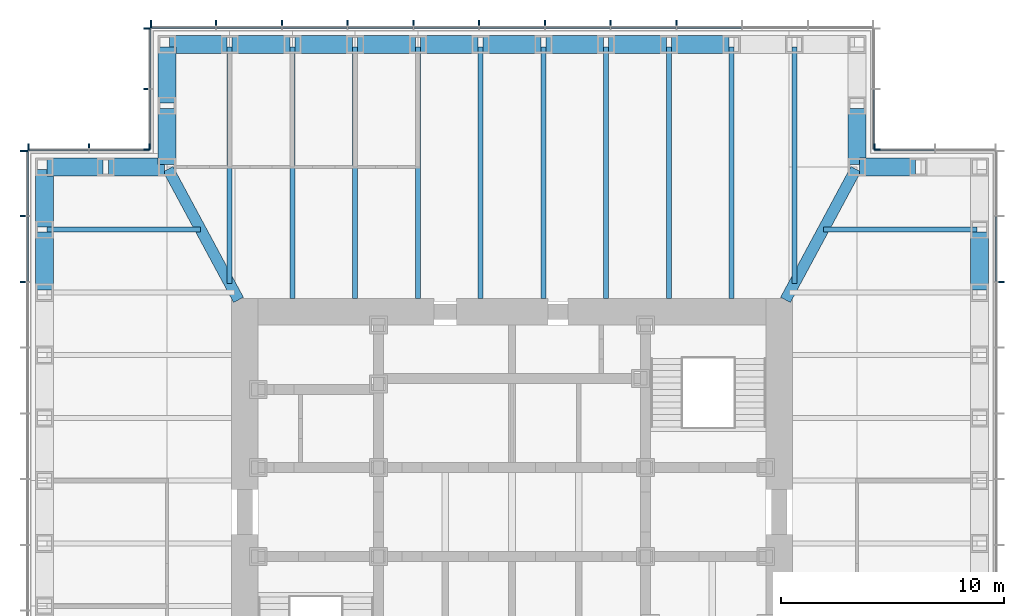
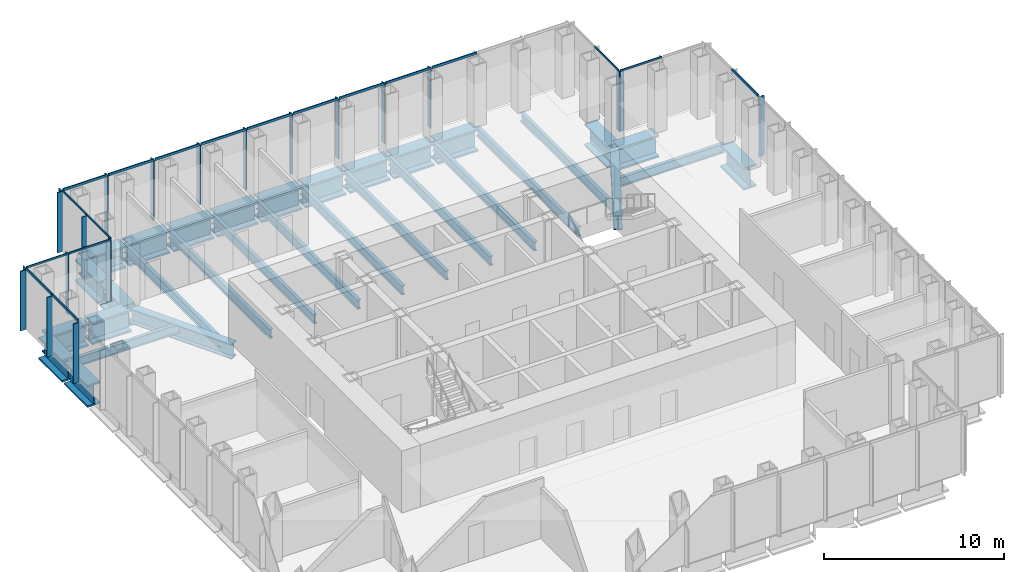
# One storey, part 5 of 16: 39 members, 32 beams, 7 elements without a shape of their own.
"""IFC4 building model written with IfcOpenShell, lengths in metres."""

from ifc_helpers import new_model, si_unit, direction, frame, origin, origin_2d, place, context, subcontext, project, spatial, rectangle, i_section, extrude, material, material_profile, profile_set, type_object, element, aggregate, save


model = new_model("IFC4")

# Units and contexts
model_context = context("Model", 3, precision=1e-05, world=origin(), true_north=direction((0.0, 1.0)))
body_context = subcontext(model_context, "Body", "Model", "MODEL_VIEW")
ifc_project = project(units=[si_unit("LENGTHUNIT", "METRE"), si_unit("AREAUNIT", "SQUARE_METRE"), si_unit("VOLUMEUNIT", "CUBIC_METRE"), si_unit("PLANEANGLEUNIT", "RADIAN"), si_unit("MASSUNIT", "GRAM", prefix="KILO")], contexts=[model_context])

# Site, building, storey
site_placement = place(None, origin())
site = spatial("IfcSite", under=ifc_project, at=site_placement, CompositionType="ELEMENT")
building_placement = place(site_placement, origin())
building = spatial("IfcBuilding", under=site, at=building_placement, Name="Daluyong Arena Tower", CompositionType="ELEMENT")
storey_placement = place(building_placement, frame((0.0, 0.0, 231.699951171875)))
storey = spatial("IfcBuildingStorey", under=building, at=storey_placement, Name="L52", CompositionType="ELEMENT", Elevation=231.699951171875)

# Curtain wall, member
ifc_material_1 = material(Name="Bronze anodised aluminium and glass", Category="aluminium")
curtain_wall_type_1 = type_object("IfcCurtainWallType", Name="Curtain wall CW3", PredefinedType="USERDEFINED", material=ifc_material_1)
curtain_wall_1_placement = place(storey_placement, origin())
curtain_wall_1 = element("IfcCurtainWall", 1, at=curtain_wall_1_placement, inside=storey, type_object=curtain_wall_type_1, Name="curtain wall L52 E", ObjectType="UNITISED CURTAIN WALL", PredefinedType="USERDEFINED")
ifc_material_2 = material(Name="Bronze anodised aluminium fin", Category="aluminium")
ifc_material_profile_1 = material_profile(ifc_material_2, rectangle(XDim=0.35009765625, YDim=0.070068359375, at=origin_2d()))
ifc_profile_set_1 = profile_set([ifc_material_profile_1], Name="Bronze anodised aluminium fin")
member_type_1 = type_object("IfcMemberType", Name="CW3 bronze fin 350x70", PredefinedType="MULLION", material=ifc_profile_set_1)
member_1_placement = place(storey_placement, frame((77.925048828125, 90.3408203125, 0.0), z_axis=(0.0, 0.0, 1.0), x_axis=(-1.0, 0.0, 0.0)))
member_1 = element("IfcMember", 2, at=member_1_placement, type_object=member_type_1, Name="curtain wall L52 E fin 10", PredefinedType="MULLION", context=body_context, shape_type="SweptSolid", body=[
    extrude(rectangle(XDim=0.35009765625, YDim=0.070068359375, at=origin_2d()), origin(), (0.0, 0.0, 1.0), 4.0400390625),
])

# Curtain wall, members
curtain_wall_2_placement = place(storey_placement, origin())
curtain_wall_2 = element("IfcCurtainWall", 3, at=curtain_wall_2_placement, inside=storey, type_object=curtain_wall_type_1, Name="curtain wall L52 N", ObjectType="UNITISED CURTAIN WALL", PredefinedType="USERDEFINED")
member_2_placement = place(storey_placement, frame((63.386474609375, 101.925048828125, 0.0), z_axis=(0.0, 0.0, 1.0), x_axis=(0.0, -1.0, 0.0)))
member_2 = element("IfcMember", 4, at=member_2_placement, type_object=member_type_1, Name="curtain wall L52 N fin 4", PredefinedType="MULLION", context=body_context, shape_type="SweptSolid", body=[
    extrude(rectangle(XDim=0.35009765625, YDim=0.070068359375, at=origin_2d()), origin(), (0.0, 0.0, 1.0), 4.0400390625),
])
member_3_placement = place(storey_placement, frame((60.431884765625, 101.925048828125, 0.0), z_axis=(0.0, 0.0, 1.0), x_axis=(0.0, -1.0, 0.0)))
member_3 = element("IfcMember", 5, at=member_3_placement, type_object=member_type_1, Name="curtain wall L52 N fin 5", PredefinedType="MULLION", context=body_context, shape_type="SweptSolid", body=[
    extrude(rectangle(XDim=0.35009765625, YDim=0.070068359375, at=origin_2d()), origin(), (0.0, 0.0, 1.0), 4.0400390625),
])
member_4_placement = place(storey_placement, frame((57.477294921875, 101.925048828125, 0.0), z_axis=(0.0, 0.0, 1.0), x_axis=(0.0, -1.0, 0.0)))
member_4 = element("IfcMember", 6, at=member_4_placement, type_object=member_type_1, Name="curtain wall L52 N fin 6", PredefinedType="MULLION", context=body_context, shape_type="SweptSolid", body=[
    extrude(rectangle(XDim=0.35009765625, YDim=0.070068359375, at=origin_2d()), origin(), (0.0, 0.0, 1.0), 4.0400390625),
])
member_5_placement = place(storey_placement, frame((54.522705078125, 101.925048828125, 0.0), z_axis=(0.0, 0.0, 1.0), x_axis=(0.0, -1.0, 0.0)))
member_5 = element("IfcMember", 7, at=member_5_placement, type_object=member_type_1, Name="curtain wall L52 N fin 7", PredefinedType="MULLION", context=body_context, shape_type="SweptSolid", body=[
    extrude(rectangle(XDim=0.35009765625, YDim=0.070068359375, at=origin_2d()), origin(), (0.0, 0.0, 1.0), 4.0400390625),
])
member_6_placement = place(storey_placement, frame((51.568115234375, 101.925048828125, 0.0), z_axis=(0.0, 0.0, 1.0), x_axis=(0.0, -1.0, 0.0)))
member_6 = element("IfcMember", 8, at=member_6_placement, type_object=member_type_1, Name="curtain wall L52 N fin 8", PredefinedType="MULLION", context=body_context, shape_type="SweptSolid", body=[
    extrude(rectangle(XDim=0.35009765625, YDim=0.070068359375, at=origin_2d()), origin(), (0.0, 0.0, 1.0), 4.0400390625),
])
member_7_placement = place(storey_placement, frame((48.613525390625, 101.925048828125, 0.0), z_axis=(0.0, 0.0, 1.0), x_axis=(0.0, -1.0, 0.0)))
member_7 = element("IfcMember", 9, at=member_7_placement, type_object=member_type_1, Name="curtain wall L52 N fin 9", PredefinedType="MULLION", context=body_context, shape_type="SweptSolid", body=[
    extrude(rectangle(XDim=0.35009765625, YDim=0.070068359375, at=origin_2d()), origin(), (0.0, 0.0, 1.0), 4.0400390625),
])
member_8_placement = place(storey_placement, frame((45.6591796875, 101.925048828125, 0.0), z_axis=(0.0, 0.0, 1.0), x_axis=(0.0, -1.0, 0.0)))
member_8 = element("IfcMember", 10, at=member_8_placement, type_object=member_type_1, Name="curtain wall L52 N fin 10", PredefinedType="MULLION", context=body_context, shape_type="SweptSolid", body=[
    extrude(rectangle(XDim=0.35009765625, YDim=0.070068359375, at=origin_2d()), origin(), (0.0, 0.0, 1.0), 4.0400390625),
])
member_9_placement = place(storey_placement, frame((42.70458984375, 101.925048828125, 0.0), z_axis=(0.0, 0.0, 1.0), x_axis=(0.0, -1.0, 0.0)))
member_9 = element("IfcMember", 11, at=member_9_placement, type_object=member_type_1, Name="curtain wall L52 N fin 11", PredefinedType="MULLION", context=body_context, shape_type="SweptSolid", body=[
    extrude(rectangle(XDim=0.35009765625, YDim=0.070068359375, at=origin_2d()), origin(), (0.0, 0.0, 1.0), 4.0400390625),
])
member_10_placement = place(storey_placement, frame((39.784912109375, 101.925048828125, 0.0), z_axis=(0.0, 0.0, 1.0), x_axis=(0.0, -1.0, 0.0)))
member_10 = element("IfcMember", 12, at=member_10_placement, type_object=member_type_1, Name="curtain wall L52 N fin 12", PredefinedType="MULLION", context=body_context, shape_type="SweptSolid", body=[
    extrude(rectangle(XDim=0.35009765625, YDim=0.070068359375, at=origin_2d()), origin(), (0.0, 0.0, 1.0), 4.0400390625),
])

curtain_wall_3_placement = place(storey_placement, origin())
curtain_wall_3 = element("IfcCurtainWall", 13, at=curtain_wall_3_placement, inside=storey, type_object=curtain_wall_type_1, Name="curtain wall L52 W", ObjectType="UNITISED CURTAIN WALL", PredefinedType="USERDEFINED")
member_11_placement = place(storey_placement, frame((34.074951171875, 96.215087890625, 0.0), z_axis=(0.0, 0.0, 1.0), x_axis=(1.0, 0.0, 0.0)))
member_11 = element("IfcMember", 14, at=member_11_placement, type_object=member_type_1, Name="curtain wall L52 W fin 1", PredefinedType="MULLION", context=body_context, shape_type="SweptSolid", body=[
    extrude(rectangle(XDim=0.35009765625, YDim=0.070068359375, at=origin_2d()), origin(), (0.0, 0.0, 1.0), 4.0400390625),
])
member_12_placement = place(storey_placement, frame((34.074951171875, 93.29541015625, 0.0), z_axis=(0.0, 0.0, 1.0), x_axis=(1.0, 0.0, 0.0)))
member_12 = element("IfcMember", 15, at=member_12_placement, type_object=member_type_1, Name="curtain wall L52 W fin 2", PredefinedType="MULLION", context=body_context, shape_type="SweptSolid", body=[
    extrude(rectangle(XDim=0.35009765625, YDim=0.070068359375, at=origin_2d()), origin(), (0.0, 0.0, 1.0), 4.0400390625),
])
member_13_placement = place(storey_placement, frame((34.074951171875, 90.3408203125, 0.0), z_axis=(0.0, 0.0, 1.0), x_axis=(1.0, 0.0, 0.0)))
member_13 = element("IfcMember", 16, at=member_13_placement, type_object=member_type_1, Name="curtain wall L52 W fin 3", PredefinedType="MULLION", context=body_context, shape_type="SweptSolid", body=[
    extrude(rectangle(XDim=0.35009765625, YDim=0.070068359375, at=origin_2d()), origin(), (0.0, 0.0, 1.0), 4.0400390625),
])

# Member
ifc_material_3 = material(Name="Bronze anodised aluminium", Category="aluminium")
ifc_material_profile_2 = material_profile(ifc_material_3, rectangle(XDim=0.070068359375, YDim=0.159912109375, at=origin_2d()))
ifc_profile_set_2 = profile_set([ifc_material_profile_2], Name="Bronze anodised aluminium")
member_type_2 = type_object("IfcMemberType", Name="CW3 stack transom 160x70", PredefinedType="USERDEFINED", material=ifc_profile_set_2)
member_14_placement = place(storey_placement, frame((77.75, 90.3759765625, 4.1201171875), z_axis=(0.0, 1.0, 0.0), x_axis=(-1.0, 0.0, 0.0)))
member_14 = element("IfcMember", 17, at=member_14_placement, type_object=member_type_2, Name="curtain wall L52 E transom 10", ObjectType="TRANSOM", PredefinedType="USERDEFINED", context=body_context, shape_type="SweptSolid", body=[
    extrude(rectangle(XDim=0.070068359375, YDim=0.159912109375, at=origin_2d()), origin(), (0.0, 0.0, 1.0), 2.884521484375),
])

aggregate(curtain_wall_1, [member_1, member_14])

member_15_placement = place(storey_placement, frame((66.305908203125, 101.75, 4.1201171875), z_axis=(-1.0, 0.0, 0.0), x_axis=(0.0, -1.0, 0.0)))
member_15 = element("IfcMember", 18, at=member_15_placement, type_object=member_type_2, Name="curtain wall L52 N transom 3", ObjectType="TRANSOM", PredefinedType="USERDEFINED", context=body_context, shape_type="SweptSolid", body=[
    extrude(rectangle(XDim=0.070068359375, YDim=0.159912109375, at=origin_2d()), origin(), (0.0, 0.0, 1.0), 2.884521484375),
])

member_16_placement = place(storey_placement, frame((63.351318359375, 101.75, 4.1201171875), z_axis=(-1.0, 0.0, 0.0), x_axis=(0.0, -1.0, 0.0)))
member_16 = element("IfcMember", 19, at=member_16_placement, type_object=member_type_2, Name="curtain wall L52 N transom 4", ObjectType="TRANSOM", PredefinedType="USERDEFINED", context=body_context, shape_type="SweptSolid", body=[
    extrude(rectangle(XDim=0.070068359375, YDim=0.159912109375, at=origin_2d()), origin(), (0.0, 0.0, 1.0), 2.884521484375),
])

member_17_placement = place(storey_placement, frame((60.396728515625, 101.75, 4.1201171875), z_axis=(-1.0, 0.0, 0.0), x_axis=(0.0, -1.0, 0.0)))
member_17 = element("IfcMember", 20, at=member_17_placement, type_object=member_type_2, Name="curtain wall L52 N transom 5", ObjectType="TRANSOM", PredefinedType="USERDEFINED", context=body_context, shape_type="SweptSolid", body=[
    extrude(rectangle(XDim=0.070068359375, YDim=0.159912109375, at=origin_2d()), origin(), (0.0, 0.0, 1.0), 2.884521484375),
])

member_18_placement = place(storey_placement, frame((57.4423828125, 101.75, 4.1201171875), z_axis=(-1.0, 0.0, 0.0), x_axis=(0.0, -1.0, 0.0)))
member_18 = element("IfcMember", 21, at=member_18_placement, type_object=member_type_2, Name="curtain wall L52 N transom 6", ObjectType="TRANSOM", PredefinedType="USERDEFINED", context=body_context, shape_type="SweptSolid", body=[
    extrude(rectangle(XDim=0.070068359375, YDim=0.159912109375, at=origin_2d()), origin(), (0.0, 0.0, 1.0), 2.884765625),
])

member_19_placement = place(storey_placement, frame((54.48779296875, 101.75, 4.1201171875), z_axis=(-1.0, 0.0, 0.0), x_axis=(0.0, -1.0, 0.0)))
member_19 = element("IfcMember", 22, at=member_19_placement, type_object=member_type_2, Name="curtain wall L52 N transom 7", ObjectType="TRANSOM", PredefinedType="USERDEFINED", context=body_context, shape_type="SweptSolid", body=[
    extrude(rectangle(XDim=0.070068359375, YDim=0.159912109375, at=origin_2d()), origin(), (0.0, 0.0, 1.0), 2.884521484375),
])

member_20_placement = place(storey_placement, frame((51.533203125, 101.75, 4.1201171875), z_axis=(-1.0, 0.0, 0.0), x_axis=(0.0, -1.0, 0.0)))
member_20 = element("IfcMember", 23, at=member_20_placement, type_object=member_type_2, Name="curtain wall L52 N transom 8", ObjectType="TRANSOM", PredefinedType="USERDEFINED", context=body_context, shape_type="SweptSolid", body=[
    extrude(rectangle(XDim=0.070068359375, YDim=0.159912109375, at=origin_2d()), origin(), (0.0, 0.0, 1.0), 2.884521484375),
])

member_21_placement = place(storey_placement, frame((48.57861328125, 101.75, 4.1201171875), z_axis=(-1.0, 0.0, 0.0), x_axis=(0.0, -1.0, 0.0)))
member_21 = element("IfcMember", 24, at=member_21_placement, type_object=member_type_2, Name="curtain wall L52 N transom 9", ObjectType="TRANSOM", PredefinedType="USERDEFINED", context=body_context, shape_type="SweptSolid", body=[
    extrude(rectangle(XDim=0.070068359375, YDim=0.159912109375, at=origin_2d()), origin(), (0.0, 0.0, 1.0), 2.884521484375),
])

member_22_placement = place(storey_placement, frame((45.6240234375, 101.75, 4.1201171875), z_axis=(-1.0, 0.0, 0.0), x_axis=(0.0, -1.0, 0.0)))
member_22 = element("IfcMember", 25, at=member_22_placement, type_object=member_type_2, Name="curtain wall L52 N transom 10", ObjectType="TRANSOM", PredefinedType="USERDEFINED", context=body_context, shape_type="SweptSolid", body=[
    extrude(rectangle(XDim=0.070068359375, YDim=0.159912109375, at=origin_2d()), origin(), (0.0, 0.0, 1.0), 2.884521484375),
])

member_23_placement = place(storey_placement, frame((42.66943359375, 101.75, 4.1201171875), z_axis=(-1.0, 0.0, 0.0), x_axis=(0.0, -1.0, 0.0)))
member_23 = element("IfcMember", 26, at=member_23_placement, type_object=member_type_2, Name="curtain wall L52 N transom 11", ObjectType="TRANSOM", PredefinedType="USERDEFINED", context=body_context, shape_type="SweptSolid", body=[
    extrude(rectangle(XDim=0.070068359375, YDim=0.159912109375, at=origin_2d()), origin(), (0.0, 0.0, 1.0), 2.849365234375),
])

aggregate(curtain_wall_2, [member_2, member_3, member_4, member_5, member_6, member_7, member_8, member_9, member_10, member_15, member_16, member_17, member_18, member_19, member_20, member_21, member_22, member_23])

member_24_placement = place(storey_placement, frame((34.25, 96.179931640625, 4.1201171875), z_axis=(0.0, -1.0, 0.0), x_axis=(1.0, 0.0, 0.0)))
member_24 = element("IfcMember", 27, at=member_24_placement, type_object=member_type_2, Name="curtain wall L52 W transom 1", ObjectType="TRANSOM", PredefinedType="USERDEFINED", context=body_context, shape_type="SweptSolid", body=[
    extrude(rectangle(XDim=0.070068359375, YDim=0.159912109375, at=origin_2d()), origin(), (0.0, 0.0, 1.0), 2.849365234375),
])

member_25_placement = place(storey_placement, frame((34.25, 93.260498046875, 4.1201171875), z_axis=(0.0, -1.0, 0.0), x_axis=(1.0, 0.0, 0.0)))
member_25 = element("IfcMember", 28, at=member_25_placement, type_object=member_type_2, Name="curtain wall L52 W transom 2", ObjectType="TRANSOM", PredefinedType="USERDEFINED", context=body_context, shape_type="SweptSolid", body=[
    extrude(rectangle(XDim=0.070068359375, YDim=0.159912109375, at=origin_2d()), origin(), (0.0, 0.0, 1.0), 2.884521484375),
])

aggregate(curtain_wall_3, [member_11, member_12, member_13, member_24, member_25])

# Curtain wall, member
ifc_material_4 = material(Name="Bronze anodised aluminium and glass", Category="aluminium")
curtain_wall_type_2 = type_object("IfcCurtainWallType", Name="Curtain wall CW7", PredefinedType="USERDEFINED", material=ifc_material_4)
curtain_wall_4_placement = place(storey_placement, origin())
curtain_wall_4 = element("IfcCurtainWall", 29, at=curtain_wall_4_placement, inside=storey, type_object=curtain_wall_type_2, Name="curtain wall L52 NE-N", ObjectType="UNITISED CURTAIN WALL", PredefinedType="USERDEFINED")
ifc_material_5 = material(Name="Bronze anodised aluminium fin", Category="aluminium")
ifc_material_profile_3 = material_profile(ifc_material_5, rectangle(XDim=0.300048828125, YDim=0.06005859375, at=origin_2d()))
ifc_profile_set_3 = profile_set([ifc_material_profile_3], Name="Bronze anodised aluminium fin")
member_type_3 = type_object("IfcMemberType", Name="CW7 bronze fin 300x60", PredefinedType="MULLION", material=ifc_profile_set_3)
member_26_placement = place(storey_placement, frame((72.280029296875, 96.39990234375, 0.0), z_axis=(0.0, 0.0, 1.0), x_axis=(0.0, -1.0, 0.0)))
member_26 = element("IfcMember", 30, at=member_26_placement, type_object=member_type_3, Name="curtain wall L52 NE-N fin 3", PredefinedType="MULLION", context=body_context, shape_type="SweptSolid", body=[
    extrude(rectangle(XDim=0.300048828125, YDim=0.06005859375, at=origin_2d()), origin(), (0.0, 0.0, 1.0), 4.080078125),
])

curtain_wall_5_placement = place(storey_placement, origin())
curtain_wall_5 = element("IfcCurtainWall", 31, at=curtain_wall_5_placement, inside=storey, type_object=curtain_wall_type_2, Name="curtain wall L52 NE-E", ObjectType="UNITISED CURTAIN WALL", PredefinedType="USERDEFINED")
member_27_placement = place(storey_placement, frame((72.39990234375, 96.280029296875, 0.0), z_axis=(0.0, 0.0, 1.0), x_axis=(-1.0, 0.0, 0.0)))
member_27 = element("IfcMember", 32, at=member_27_placement, type_object=member_type_3, Name="curtain wall L52 NE-E fin 1", PredefinedType="MULLION", context=body_context, shape_type="SweptSolid", body=[
    extrude(rectangle(XDim=0.300048828125, YDim=0.06005859375, at=origin_2d()), origin(), (0.0, 0.0, 1.0), 4.080078125),
])

# Curtain wall, members
curtain_wall_6_placement = place(storey_placement, origin())
curtain_wall_6 = element("IfcCurtainWall", 33, at=curtain_wall_6_placement, inside=storey, type_object=curtain_wall_type_2, Name="curtain wall L52 NW-W", ObjectType="UNITISED CURTAIN WALL", PredefinedType="USERDEFINED")
member_28_placement = place(storey_placement, frame((39.60009765625, 101.719970703125, 0.0), z_axis=(0.0, 0.0, 1.0), x_axis=(1.0, 0.0, 0.0)))
member_28 = element("IfcMember", 34, at=member_28_placement, type_object=member_type_3, Name="curtain wall L52 NW-W fin 1", PredefinedType="MULLION", context=body_context, shape_type="SweptSolid", body=[
    extrude(rectangle(XDim=0.300048828125, YDim=0.06005859375, at=origin_2d()), origin(), (0.0, 0.0, 1.0), 4.080078125),
])
member_29_placement = place(storey_placement, frame((39.60009765625, 99.0, 0.0), z_axis=(0.0, 0.0, 1.0), x_axis=(1.0, 0.0, 0.0)))
member_29 = element("IfcMember", 35, at=member_29_placement, type_object=member_type_3, Name="curtain wall L52 NW-W fin 2", PredefinedType="MULLION", context=body_context, shape_type="SweptSolid", body=[
    extrude(rectangle(XDim=0.300048828125, YDim=0.06005859375, at=origin_2d()), origin(), (0.0, 0.0, 1.0), 4.080078125),
])
member_30_placement = place(storey_placement, frame((39.60009765625, 96.280029296875, 0.0), z_axis=(0.0, 0.0, 1.0), x_axis=(1.0, 0.0, 0.0)))
member_30 = element("IfcMember", 36, at=member_30_placement, type_object=member_type_3, Name="curtain wall L52 NW-W fin 3", PredefinedType="MULLION", context=body_context, shape_type="SweptSolid", body=[
    extrude(rectangle(XDim=0.300048828125, YDim=0.06005859375, at=origin_2d()), origin(), (0.0, 0.0, 1.0), 4.080078125),
])

curtain_wall_7_placement = place(storey_placement, origin())
curtain_wall_7 = element("IfcCurtainWall", 37, at=curtain_wall_7_placement, inside=storey, type_object=curtain_wall_type_2, Name="curtain wall L52 NW-N", ObjectType="UNITISED CURTAIN WALL", PredefinedType="USERDEFINED")
member_31_placement = place(storey_placement, frame((39.719970703125, 96.39990234375, 0.0), z_axis=(0.0, 0.0, 1.0), x_axis=(0.0, -1.0, 0.0)))
member_31 = element("IfcMember", 38, at=member_31_placement, type_object=member_type_3, Name="curtain wall L52 NW-N fin 1", PredefinedType="MULLION", context=body_context, shape_type="SweptSolid", body=[
    extrude(rectangle(XDim=0.300048828125, YDim=0.06005859375, at=origin_2d()), origin(), (0.0, 0.0, 1.0), 4.080078125),
])
member_32_placement = place(storey_placement, frame((37.0, 96.39990234375, 0.0), z_axis=(0.0, 0.0, 1.0), x_axis=(0.0, -1.0, 0.0)))
member_32 = element("IfcMember", 39, at=member_32_placement, type_object=member_type_3, Name="curtain wall L52 NW-N fin 2", PredefinedType="MULLION", context=body_context, shape_type="SweptSolid", body=[
    extrude(rectangle(XDim=0.300048828125, YDim=0.06005859375, at=origin_2d()), origin(), (0.0, 0.0, 1.0), 4.080078125),
])
member_33_placement = place(storey_placement, frame((34.280029296875, 96.39990234375, 0.0), z_axis=(0.0, 0.0, 1.0), x_axis=(0.0, -1.0, 0.0)))
member_33 = element("IfcMember", 40, at=member_33_placement, type_object=member_type_3, Name="curtain wall L52 NW-N fin 3", PredefinedType="MULLION", context=body_context, shape_type="SweptSolid", body=[
    extrude(rectangle(XDim=0.300048828125, YDim=0.06005859375, at=origin_2d()), origin(), (0.0, 0.0, 1.0), 4.080078125),
])

# Member
ifc_material_6 = material(Name="Bronze anodised aluminium", Category="aluminium")
ifc_material_profile_4 = material_profile(ifc_material_6, rectangle(XDim=0.06005859375, YDim=0.1201171875, at=origin_2d()))
ifc_profile_set_4 = profile_set([ifc_material_profile_4], Name="Bronze anodised aluminium")
member_type_4 = type_object("IfcMemberType", Name="CW7 stack transom 120x60", PredefinedType="USERDEFINED", material=ifc_profile_set_4)
member_34_placement = place(storey_placement, frame((74.969970703125, 96.25, 4.14013671875), z_axis=(-1.0, 0.0, 0.0), x_axis=(0.0, -1.0, 0.0)))
member_34 = element("IfcMember", 41, at=member_34_placement, type_object=member_type_4, Name="curtain wall L52 NE-N transom 2", ObjectType="TRANSOM", PredefinedType="USERDEFINED", context=body_context, shape_type="SweptSolid", body=[
    extrude(rectangle(XDim=0.06005859375, YDim=0.1201171875, at=origin_2d()), origin(), (0.0, 0.0, 1.0), 2.659912109375),
])

aggregate(curtain_wall_4, [member_26, member_34])

member_35_placement = place(storey_placement, frame((72.25, 96.31005859375, 4.14013671875), z_axis=(0.0, 1.0, 0.0), x_axis=(-1.0, 0.0, 0.0)))
member_35 = element("IfcMember", 42, at=member_35_placement, type_object=member_type_4, Name="curtain wall L52 NE-E transom 1", ObjectType="TRANSOM", PredefinedType="USERDEFINED", context=body_context, shape_type="SweptSolid", body=[
    extrude(rectangle(XDim=0.06005859375, YDim=0.1201171875, at=origin_2d()), origin(), (0.0, 0.0, 1.0), 2.659912109375),
])

aggregate(curtain_wall_5, [member_27, member_35])

member_36_placement = place(storey_placement, frame((39.75, 101.68994140625, 4.14013671875), z_axis=(0.0, -1.0, 0.0), x_axis=(1.0, 0.0, 0.0)))
member_36 = element("IfcMember", 43, at=member_36_placement, type_object=member_type_4, Name="curtain wall L52 NW-W transom 1", ObjectType="TRANSOM", PredefinedType="USERDEFINED", context=body_context, shape_type="SweptSolid", body=[
    extrude(rectangle(XDim=0.06005859375, YDim=0.1201171875, at=origin_2d()), origin(), (0.0, 0.0, 1.0), 2.659912109375),
])

member_37_placement = place(storey_placement, frame((39.75, 98.969970703125, 4.14013671875), z_axis=(0.0, -1.0, 0.0), x_axis=(1.0, 0.0, 0.0)))
member_37 = element("IfcMember", 44, at=member_37_placement, type_object=member_type_4, Name="curtain wall L52 NW-W transom 2", ObjectType="TRANSOM", PredefinedType="USERDEFINED", context=body_context, shape_type="SweptSolid", body=[
    extrude(rectangle(XDim=0.06005859375, YDim=0.1201171875, at=origin_2d()), origin(), (0.0, 0.0, 1.0), 2.659912109375),
])

aggregate(curtain_wall_6, [member_28, member_29, member_30, member_36, member_37])

member_38_placement = place(storey_placement, frame((39.68994140625, 96.25, 4.14013671875), z_axis=(-1.0, 0.0, 0.0), x_axis=(0.0, -1.0, 0.0)))
member_38 = element("IfcMember", 45, at=member_38_placement, type_object=member_type_4, Name="curtain wall L52 NW-N transom 1", ObjectType="TRANSOM", PredefinedType="USERDEFINED", context=body_context, shape_type="SweptSolid", body=[
    extrude(rectangle(XDim=0.06005859375, YDim=0.1201171875, at=origin_2d()), origin(), (0.0, 0.0, 1.0), 2.659912109375),
])

member_39_placement = place(storey_placement, frame((36.969970703125, 96.25, 4.14013671875), z_axis=(-1.0, 0.0, 0.0), x_axis=(0.0, -1.0, 0.0)))
member_39 = element("IfcMember", 46, at=member_39_placement, type_object=member_type_4, Name="curtain wall L52 NW-N transom 2", ObjectType="TRANSOM", PredefinedType="USERDEFINED", context=body_context, shape_type="SweptSolid", body=[
    extrude(rectangle(XDim=0.06005859375, YDim=0.1201171875, at=origin_2d()), origin(), (0.0, 0.0, 1.0), 2.659912109375),
])

aggregate(curtain_wall_7, [member_31, member_32, member_33, member_38, member_39])

# Beams
ifc_material_7 = material(Name="Steel ASTM A572 Grade 50", Category="steel")
ifc_material_profile_5 = material_profile(ifc_material_7, i_section(OverallWidth=0.5, OverallDepth=1.0, WebThickness=0.03, FlangeThickness=0.06, at=origin_2d()))
ifc_profile_set_5 = profile_set([ifc_material_profile_5], Name="Steel ASTM A572 Grade 50")
beam_type_1 = type_object("IfcBeamType", Name="Corner girder TB1000X500", PredefinedType="BEAM", material=ifc_profile_set_5)
for number, where, z_axis, x_axis, name in (
    (47, (71.445556640625, 95.398681640625, -0.659912109375), (-0.474119475266, -0.880460517669, 0.0), (0.880460517669, -0.474119475266, 0.0), "corner girder DG2"),
    (48, (40.554443359375, 95.398681640625, -0.659912109375), (0.474119475266, -0.880460517669, 0.0), (0.880460517669, 0.474119475266, 0.0), "corner girder DG2"),
):
    element("IfcBeam", number, at=place(storey_placement, frame(where, z_axis=z_axis, x_axis=x_axis)), inside=storey, type_object=beam_type_1, Name=name, PredefinedType="BEAM", context=body_context, shape_type="SweptSolid", body=[
        extrude(i_section(OverallWidth=0.5, OverallDepth=1.0, WebThickness=0.03, FlangeThickness=0.06, at=origin_2d()), origin(), (0.0, 0.0, 1.0), 6.66748046875),
    ])
ifc_material_8 = material(Name="Steel ASTM A992 Grade 50", Category="steel")
ifc_material_profile_6 = material_profile(ifc_material_8, i_section(OverallWidth=0.22900390625, OverallDepth=0.612060546875, WebThickness=0.011962890625, FlangeThickness=0.01953125, at=origin_2d()))
ifc_profile_set_6 = profile_set([ifc_material_profile_6], Name="Steel ASTM A992 Grade 50")
beam_type_2 = type_object("IfcBeamType", Name="Floor beam W24X84", PredefinedType="BEAM", material=ifc_profile_set_6)
beam_1_placement = place(storey_placement, frame((76.885009765625, 92.681884765625, -0.466064453125), z_axis=(-1.0, 0.0, 0.0), x_axis=(0.0, -1.0, 0.0)))
element("IfcBeam", 49, at=beam_1_placement, inside=storey, type_object=beam_type_2, Name="floor beam FB3", PredefinedType="BEAM", context=body_context, shape_type="SweptSolid", body=[
    extrude(i_section(OverallWidth=0.22900390625, OverallDepth=0.612060546875, WebThickness=0.011962890625, FlangeThickness=0.01953125, at=origin_2d()), origin(), (0.0, 0.0, 1.0), 6.902587890625),
])
beam_2_placement = place(storey_placement, frame((68.681884765625, 100.885009765625, -0.466064453125), z_axis=(0.0, -1.0, 0.0), x_axis=(1.0, 0.0, 0.0)))
element("IfcBeam", 50, at=beam_2_placement, inside=storey, type_object=beam_type_2, Name="floor beam FB3", PredefinedType="BEAM", context=body_context, shape_type="SweptSolid", body=[
    extrude(i_section(OverallWidth=0.22900390625, OverallDepth=0.612060546875, WebThickness=0.011962890625, FlangeThickness=0.01953125, at=origin_2d()), origin(), (0.0, 0.0, 1.0), 10.618896484375),
])
for number, where, z_axis, x_axis, name in (
    (51, (65.863525390625, 100.885009765625, -0.466064453125), (0.0, -1.0, 0.0), (1.0, 0.0, 0.0), "floor beam FB3"),
    (52, (63.04541015625, 100.885009765625, -0.466064453125), (0.0, -1.0, 0.0), (1.0, 0.0, 0.0), "floor beam FB3"),
    (53, (60.227294921875, 100.885009765625, -0.466064453125), (0.0, -1.0, 0.0), (1.0, 0.0, 0.0), "floor beam FB3"),
    (54, (57.4091796875, 100.885009765625, -0.466064453125), (0.0, -1.0, 0.0), (1.0, 0.0, 0.0), "floor beam FB3"),
    (55, (54.5908203125, 100.885009765625, -0.466064453125), (0.0, -1.0, 0.0), (1.0, 0.0, 0.0), "floor beam FB3"),
    (56, (51.772705078125, 100.885009765625, -0.466064453125), (0.0, -1.0, 0.0), (1.0, 0.0, 0.0), "floor beam FB3"),
    (57, (48.95458984375, 100.885009765625, -0.466064453125), (0.0, -1.0, 0.0), (1.0, 0.0, 0.0), "floor beam FB3"),
    (58, (46.136474609375, 100.885009765625, -0.466064453125), (0.0, -1.0, 0.0), (1.0, 0.0, 0.0), "floor beam FB3"),
):
    element("IfcBeam", number, at=place(storey_placement, frame(where, z_axis=z_axis, x_axis=x_axis)), inside=storey, type_object=beam_type_2, Name=name, PredefinedType="BEAM", context=body_context, shape_type="SweptSolid", body=[
        extrude(i_section(OverallWidth=0.22900390625, OverallDepth=0.612060546875, WebThickness=0.011962890625, FlangeThickness=0.01953125, at=origin_2d()), origin(), (0.0, 0.0, 1.0), 11.284912109375),
    ])
beam_3_placement = place(storey_placement, frame((43.318115234375, 100.885009765625, -0.466064453125), z_axis=(0.0, -1.0, 0.0), x_axis=(1.0, 0.0, 0.0)))
element("IfcBeam", 59, at=beam_3_placement, inside=storey, type_object=beam_type_2, Name="floor beam FB3", PredefinedType="BEAM", context=body_context, shape_type="SweptSolid", body=[
    extrude(i_section(OverallWidth=0.22900390625, OverallDepth=0.612060546875, WebThickness=0.011962890625, FlangeThickness=0.01953125, at=origin_2d()), origin(), (0.0, 0.0, 1.0), 10.618896484375),
])
beam_4_placement = place(storey_placement, frame((35.114990234375, 92.681884765625, -0.466064453125), z_axis=(1.0, 0.0, 0.0), x_axis=(0.0, 1.0, 0.0)))
element("IfcBeam", 60, at=beam_4_placement, inside=storey, type_object=beam_type_2, Name="floor beam FB3", PredefinedType="BEAM", context=body_context, shape_type="SweptSolid", body=[
    extrude(i_section(OverallWidth=0.22900390625, OverallDepth=0.612060546875, WebThickness=0.011962890625, FlangeThickness=0.01953125, at=origin_2d()), origin(), (0.0, 0.0, 1.0), 6.902587890625),
])
ifc_material_9 = material(Name="Steel ASTM A588 Grade 50", Category="steel")
ifc_material_profile_7 = material_profile(ifc_material_9, i_section(OverallWidth=0.800048828125, OverallDepth=1.5, WebThickness=0.05, FlangeThickness=0.12, at=origin_2d()))
ifc_profile_set_7 = profile_set([ifc_material_profile_7], Name="Steel ASTM A588 Grade 50")
beam_type_3 = type_object("IfcBeamType", Name="Spandrel Z3 PG1500X800", PredefinedType="SPANDREL", material=ifc_profile_set_7)
beam_5_placement = place(storey_placement, frame((77.0, 89.978515625, -0.909912109375), z_axis=(0.0, 1.0, 0.0), x_axis=(-1.0, 0.0, 0.0)))
element("IfcBeam", 61, at=beam_5_placement, inside=storey, type_object=beam_type_3, Name="spandrel z3 SB7", PredefinedType="SPANDREL", context=body_context, shape_type="SweptSolid", body=[
    extrude(i_section(OverallWidth=0.800048828125, OverallDepth=1.5, WebThickness=0.05, FlangeThickness=0.12, at=origin_2d()), origin(), (0.0, 0.0, 1.0), 2.58837890625),
])
for number, where, z_axis, x_axis, name in (
    (62, (74.135009765625, 95.5, -0.909912109375), (-1.0, 0.0, 0.0), (0.0, -1.0, 0.0), "spandrel z3 SB7"),
    (63, (71.5, 95.614990234375, -0.909912109375), (0.0, 1.0, 0.0), (-1.0, 0.0, 0.0), "spandrel z3 SB7"),
):
    element("IfcBeam", number, at=place(storey_placement, frame(where, z_axis=z_axis, x_axis=x_axis)), inside=storey, type_object=beam_type_3, Name=name, PredefinedType="SPANDREL", context=body_context, shape_type="SweptSolid", body=[
        extrude(i_section(OverallWidth=0.800048828125, OverallDepth=1.5, WebThickness=0.05, FlangeThickness=0.12, at=origin_2d()), origin(), (0.0, 0.0, 1.0), 2.52001953125),
    ])
for number, where, z_axis, x_axis, name in (
    (64, (65.74853515625, 101.0, -0.909912109375), (-1.0, 0.0, 0.0), (0.0, -1.0, 0.0), "spandrel z3 SB7"),
    (65, (62.930419921875, 101.0, -0.909912109375), (-1.0, 0.0, 0.0), (0.0, -1.0, 0.0), "spandrel z3 SB7"),
    (66, (60.1123046875, 101.0, -0.909912109375), (-1.0, 0.0, 0.0), (0.0, -1.0, 0.0), "spandrel z3 SB7"),
):
    element("IfcBeam", number, at=place(storey_placement, frame(where, z_axis=z_axis, x_axis=x_axis)), inside=storey, type_object=beam_type_3, Name=name, PredefinedType="SPANDREL", context=body_context, shape_type="SweptSolid", body=[
        extrude(i_section(OverallWidth=0.800048828125, OverallDepth=1.5, WebThickness=0.05, FlangeThickness=0.12, at=origin_2d()), origin(), (0.0, 0.0, 1.0), 2.588134765625),
    ])
beam_6_placement = place(storey_placement, frame((57.294189453125, 101.0, -0.909912109375), z_axis=(-1.0, 0.0, 0.0), x_axis=(0.0, -1.0, 0.0)))
element("IfcBeam", 67, at=beam_6_placement, inside=storey, type_object=beam_type_3, Name="spandrel z3 SB7", PredefinedType="SPANDREL", context=body_context, shape_type="SweptSolid", body=[
    extrude(i_section(OverallWidth=0.800048828125, OverallDepth=1.5, WebThickness=0.05, FlangeThickness=0.12, at=origin_2d()), origin(), (0.0, 0.0, 1.0), 2.58837890625),
])
for number, where, z_axis, x_axis, name in (
    (68, (54.475830078125, 101.0, -0.909912109375), (-1.0, 0.0, 0.0), (0.0, -1.0, 0.0), "spandrel z3 SB7"),
    (69, (51.65771484375, 101.0, -0.909912109375), (-1.0, 0.0, 0.0), (0.0, -1.0, 0.0), "spandrel z3 SB7"),
    (70, (48.839599609375, 101.0, -0.909912109375), (-1.0, 0.0, 0.0), (0.0, -1.0, 0.0), "spandrel z3 SB7"),
):
    element("IfcBeam", number, at=place(storey_placement, frame(where, z_axis=z_axis, x_axis=x_axis)), inside=storey, type_object=beam_type_3, Name=name, PredefinedType="SPANDREL", context=body_context, shape_type="SweptSolid", body=[
        extrude(i_section(OverallWidth=0.800048828125, OverallDepth=1.5, WebThickness=0.05, FlangeThickness=0.12, at=origin_2d()), origin(), (0.0, 0.0, 1.0), 2.588134765625),
    ])
beam_7_placement = place(storey_placement, frame((46.021484375, 101.0, -0.909912109375), z_axis=(-1.0, 0.0, 0.0), x_axis=(0.0, -1.0, 0.0)))
element("IfcBeam", 71, at=beam_7_placement, inside=storey, type_object=beam_type_3, Name="spandrel z3 SB7", PredefinedType="SPANDREL", context=body_context, shape_type="SweptSolid", body=[
    extrude(i_section(OverallWidth=0.800048828125, OverallDepth=1.5, WebThickness=0.05, FlangeThickness=0.12, at=origin_2d()), origin(), (0.0, 0.0, 1.0), 2.58837890625),
])
beam_8_placement = place(storey_placement, frame((43.203125, 101.0, -0.909912109375), z_axis=(-1.0, 0.0, 0.0), x_axis=(0.0, -1.0, 0.0)))
element("IfcBeam", 72, at=beam_8_placement, inside=storey, type_object=beam_type_3, Name="spandrel z3 SB7", PredefinedType="SPANDREL", context=body_context, shape_type="SweptSolid", body=[
    extrude(i_section(OverallWidth=0.800048828125, OverallDepth=1.5, WebThickness=0.05, FlangeThickness=0.12, at=origin_2d()), origin(), (0.0, 0.0, 1.0), 2.588134765625),
])
for number, where, z_axis, x_axis, name in (
    (73, (40.5, 100.885009765625, -0.909912109375), (0.0, -1.0, 0.0), (1.0, 0.0, 0.0), "spandrel z3 SB7"),
    (74, (40.5, 98.135009765625, -0.909912109375), (0.0, -1.0, 0.0), (1.0, 0.0, 0.0), "spandrel z3 SB7"),
    (75, (40.385009765625, 95.5, -0.909912109375), (-1.0, 0.0, 0.0), (0.0, -1.0, 0.0), "spandrel z3 SB7"),
    (76, (37.635009765625, 95.5, -0.909912109375), (-1.0, 0.0, 0.0), (0.0, -1.0, 0.0), "spandrel z3 SB7"),
):
    element("IfcBeam", number, at=place(storey_placement, frame(where, z_axis=z_axis, x_axis=x_axis)), inside=storey, type_object=beam_type_3, Name=name, PredefinedType="SPANDREL", context=body_context, shape_type="SweptSolid", body=[
        extrude(i_section(OverallWidth=0.800048828125, OverallDepth=1.5, WebThickness=0.05, FlangeThickness=0.12, at=origin_2d()), origin(), (0.0, 0.0, 1.0), 2.52001953125),
    ])
beam_9_placement = place(storey_placement, frame((35.0, 95.385009765625, -0.909912109375), z_axis=(0.0, -1.0, 0.0), x_axis=(1.0, 0.0, 0.0)))
element("IfcBeam", 77, at=beam_9_placement, inside=storey, type_object=beam_type_3, Name="spandrel z3 SB7", PredefinedType="SPANDREL", context=body_context, shape_type="SweptSolid", body=[
    extrude(i_section(OverallWidth=0.800048828125, OverallDepth=1.5, WebThickness=0.05, FlangeThickness=0.12, at=origin_2d()), origin(), (0.0, 0.0, 1.0), 2.588134765625),
])
beam_10_placement = place(storey_placement, frame((35.0, 92.56689453125, -0.909912109375), z_axis=(0.0, -1.0, 0.0), x_axis=(1.0, 0.0, 0.0)))
element("IfcBeam", 78, at=beam_10_placement, inside=storey, type_object=beam_type_3, Name="spandrel z3 SB7", PredefinedType="SPANDREL", context=body_context, shape_type="SweptSolid", body=[
    extrude(i_section(OverallWidth=0.800048828125, OverallDepth=1.5, WebThickness=0.05, FlangeThickness=0.12, at=origin_2d()), origin(), (0.0, 0.0, 1.0), 2.58837890625),
])

save(model, "model.ifc")
